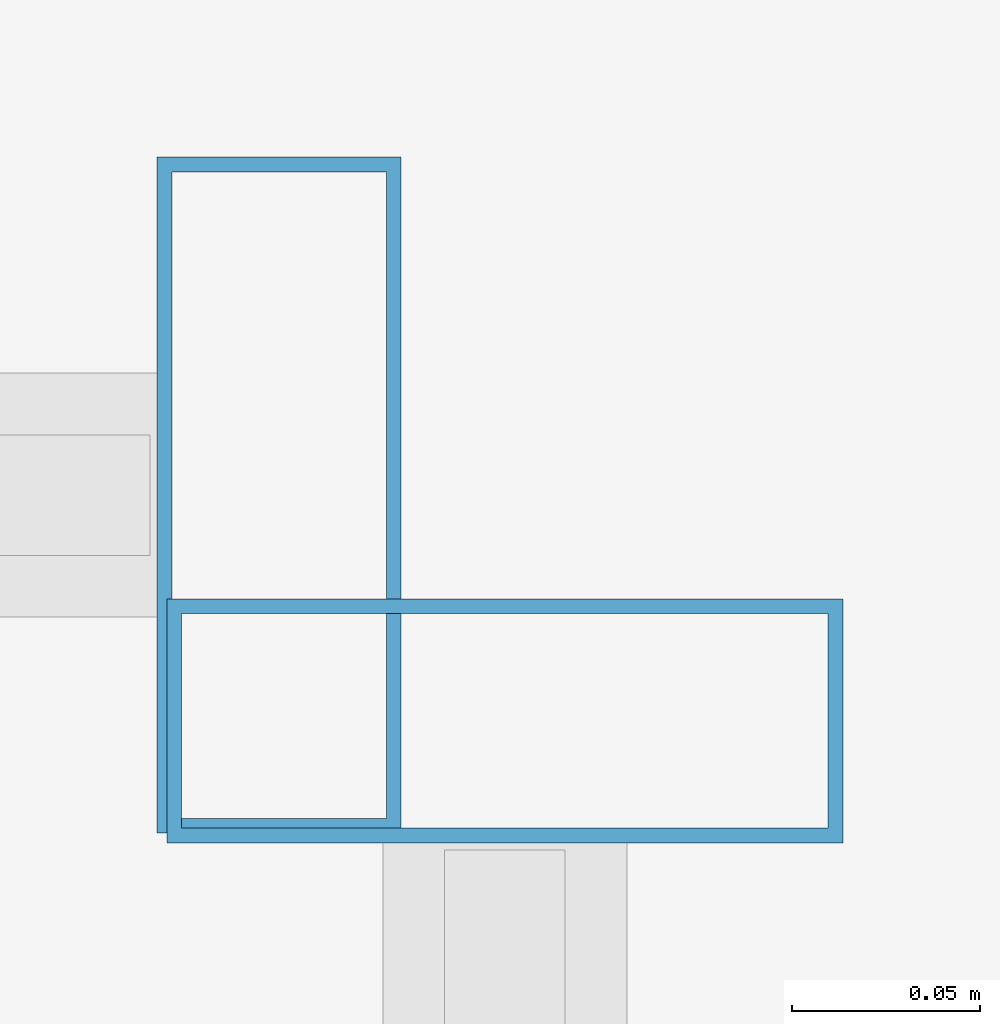
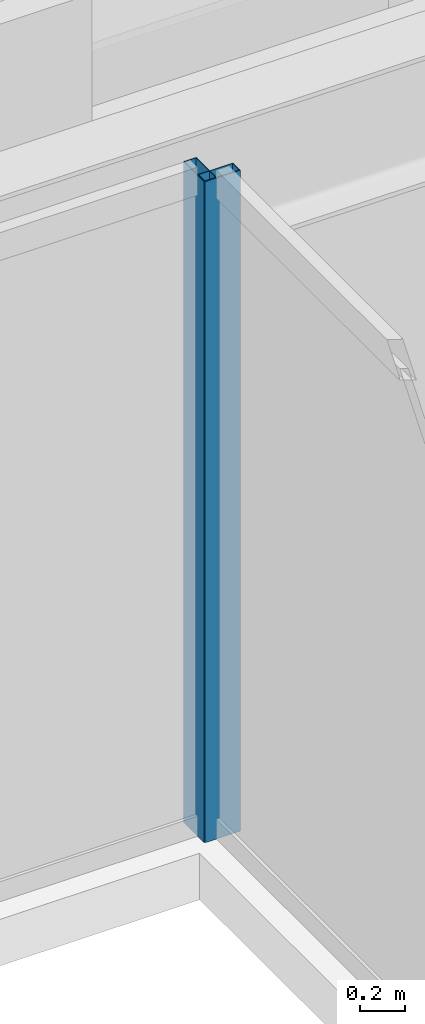
# One storey, part 16 of 40: 2 members, 2 elements without a shape of their own.
"""IFC4 building model written with IfcOpenShell, lengths in metres."""

from ifc_helpers import new_model, si_unit, direction, frame, origin, origin_2d, place, context, subcontext, project, spatial, hollow_rectangle, extrude, material, material_profile, profile_set, type_object, element, aggregate, save


model = new_model("IFC4")

# Units and contexts
model_context = context("Model", 3, precision=1e-05, world=origin(), true_north=direction((0.0, 1.0)))
body_context = subcontext(model_context, "Body", "Model", "MODEL_VIEW")
ifc_project = project(units=[si_unit("LENGTHUNIT", "METRE"), si_unit("AREAUNIT", "SQUARE_METRE"), si_unit("VOLUMEUNIT", "CUBIC_METRE"), si_unit("PLANEANGLEUNIT", "RADIAN"), si_unit("MASSUNIT", "GRAM", prefix="KILO")], contexts=[model_context])

# Site, building, storey
site_placement = place(None, origin())
site = spatial("IfcSite", under=ifc_project, at=site_placement, CompositionType="ELEMENT")
building_placement = place(site_placement, origin())
building = spatial("IfcBuilding", under=site, at=building_placement, Name="Saevonmaru Cultural Tower", CompositionType="ELEMENT")
storey_placement = place(building_placement, frame((0.0, 0.0, 129.60009765625)))
storey = spatial("IfcBuildingStorey", under=building, at=storey_placement, Name="L27", CompositionType="ELEMENT", Elevation=129.60009765625)

# Curtain wall, member
ifc_material = material(Name="Satin Bronze Anodised Aluminium", Category="aluminium")
curtain_wall_type = type_object("IfcCurtainWallType", Name="CW-ATR-GLZ", PredefinedType="NOTDEFINED", material=ifc_material)
curtain_wall_1_placement = place(storey_placement, origin())
curtain_wall_1 = element("IfcCurtainWall", 1, at=curtain_wall_1_placement, inside=storey, type_object=curtain_wall_type, Name="L27 Vertical Atrium Glazed Smoke Screen 2", PredefinedType="NOTDEFINED")
ifc_material_profile = material_profile(ifc_material, hollow_rectangle(XDim=0.06494140625, YDim=0.179931640625, WallThickness=0.00390625, at=origin_2d()), Name="ALU-MULL-180x65x4")
ifc_profile_set = profile_set([ifc_material_profile], Name="Satin Bronze Anodised Aluminium")
member_type = type_object("IfcMemberType", Name="ML-CW-INT-180x65", PredefinedType="MULLION", material=ifc_profile_set)
member_1_placement = place(storey_placement, frame((35.949951171875, 37.409912109375, 0.0), z_axis=(0.0, 0.0, 1.0), x_axis=(0.0, 1.0, 0.0)))
member_1 = element("IfcMember", 2, at=member_1_placement, type_object=member_type, Name="CW-ATR-L27-2 mullion 3", PredefinedType="MULLION", context=body_context, shape_type="SweptSolid", body=[
    extrude(hollow_rectangle(XDim=0.06494140625, YDim=0.179931640625, WallThickness=0.00390625, at=origin_2d()), origin(), (0.0, 0.0, 1.0), 3.5498046875),
])
aggregate(curtain_wall_1, [member_1])

curtain_wall_2_placement = place(storey_placement, origin())
curtain_wall_2 = element("IfcCurtainWall", 3, at=curtain_wall_2_placement, inside=storey, type_object=curtain_wall_type, Name="L27 Vertical Atrium Glazed Smoke Screen 3", PredefinedType="NOTDEFINED")
member_2_placement = place(storey_placement, frame((35.889892578125, 37.469970703125, 0.0), z_axis=(0.0, 0.0, 1.0), x_axis=(-1.0, 0.0, 0.0)))
member_2 = element("IfcMember", 4, at=member_2_placement, type_object=member_type, Name="CW-ATR-L27-3 mullion 1", PredefinedType="MULLION", context=body_context, shape_type="SweptSolid", body=[
    extrude(hollow_rectangle(XDim=0.06494140625, YDim=0.179931640625, WallThickness=0.00390625, at=origin_2d()), origin(), (0.0, 0.0, 1.0), 3.5498046875),
])
aggregate(curtain_wall_2, [member_2])

save(model, "model.ifc")
